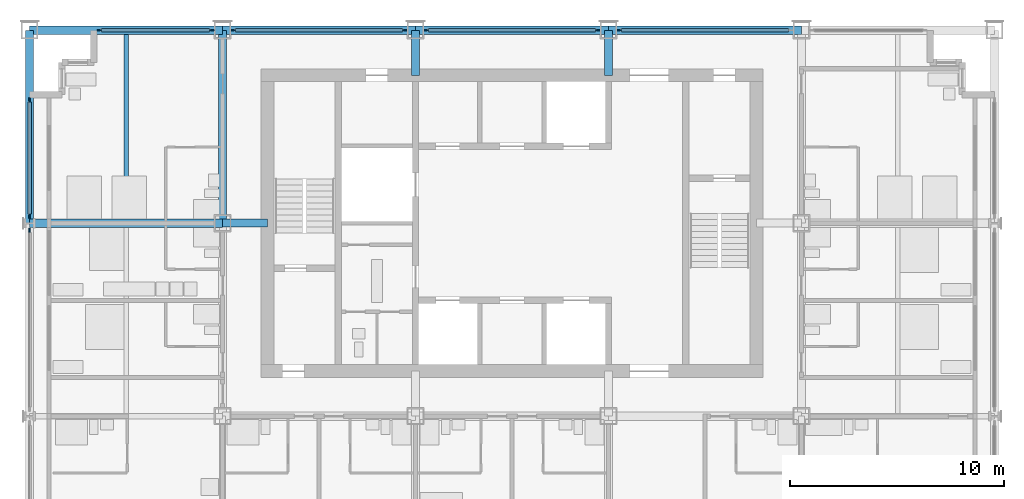
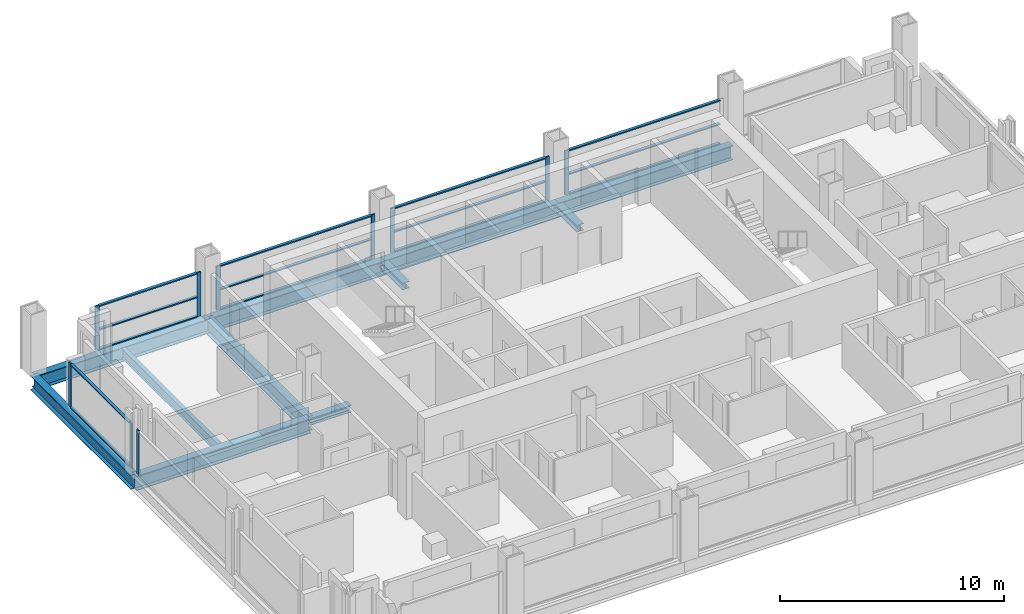
# One storey, part 4 of 14: 27 members, 8 beams, 6 elements without a shape of their own.
"""IFC4 building model written with IfcOpenShell, lengths in metres."""

from ifc_helpers import new_model, si_unit, direction, frame, origin, origin_2d, place, context, subcontext, project, spatial, rectangle, i_section, extrude, material, material_profile, profile_set, type_object, element, aggregate, save


model = new_model("IFC4")

# Units and contexts
model_context = context("Model", 3, precision=1e-05, world=origin(), true_north=direction((0.0, 1.0)))
body_context = subcontext(model_context, "Body", "Model", "MODEL_VIEW")
ifc_project = project(units=[si_unit("LENGTHUNIT", "METRE"), si_unit("AREAUNIT", "SQUARE_METRE"), si_unit("VOLUMEUNIT", "CUBIC_METRE"), si_unit("PLANEANGLEUNIT", "RADIAN"), si_unit("MASSUNIT", "GRAM", prefix="KILO")], contexts=[model_context])

# Site, building, storey
site_placement = place(None, origin())
site = spatial("IfcSite", under=ifc_project, at=site_placement, CompositionType="ELEMENT")
building_placement = place(site_placement, origin())
building = spatial("IfcBuilding", under=site, at=building_placement, Name="Loomwork Tower", CompositionType="ELEMENT")
storey_placement = place(building_placement, frame((0.0, 0.0, 167.199951171875)))
storey = spatial("IfcBuildingStorey", under=building, at=storey_placement, Name="L45", CompositionType="ELEMENT", Elevation=167.199951171875)

# Beams
ifc_material_1 = material(Name="Steel ASTM A992", Category="steel")
ifc_material_profile_1 = material_profile(ifc_material_1, i_section(OverallWidth=0.383544921875, OverallDepth=0.794921875, WebThickness=0.02099609375, FlangeThickness=0.0380859375, at=origin_2d()), Name="W30x235")
ifc_profile_set_1 = profile_set([ifc_material_profile_1], Name="Steel ASTM A992")
beam_type_1 = type_object("IfcBeamType", Name="CORE FLANK GIRDER W30x235", PredefinedType="BEAM", material=ifc_profile_set_1)
for number, where, z_axis, x_axis, name in (
    (1, (0.0, 18.0, -0.597412109375), (1.0, 0.0, 0.0), (0.0, 1.0, 0.0), "Core Flank Girder F/2-F/3 L45"),
    (2, (9.0, 18.0, -0.597412109375), (0.0, 1.0, 0.0), (-1.0, 0.0, 0.0), "Core Flank Girder F/3-G/3 L45"),
):
    element("IfcBeam", number, at=place(storey_placement, frame(where, z_axis=z_axis, x_axis=x_axis)), inside=storey, type_object=beam_type_1, Name=name, PredefinedType="BEAM", context=body_context, shape_type="SweptSolid", body=[
        extrude(i_section(OverallWidth=0.383544921875, OverallDepth=0.794921875, WebThickness=0.02099609375, FlangeThickness=0.0380859375, at=origin_2d()), origin(), (0.0, 0.0, 1.0), 9.0),
    ])

# Members
ifc_material_2 = material(Name="Steel ASTM A992", Category="steel")
ifc_material_profile_2 = material_profile(ifc_material_2, i_section(OverallWidth=0.373291015625, OverallDepth=0.373291015625, WebThickness=0.016357421875, FlangeThickness=0.026123046875, at=origin_2d()), Name="W14x132")
ifc_profile_set_2 = profile_set([ifc_material_profile_2], Name="Steel ASTM A992")
member_type_1 = type_object("IfcMemberType", Name="CORE LINK STRUT W14x132", PredefinedType="STRUT", material=ifc_profile_set_2)
for number, where, z_axis, x_axis, name in (
    (3, (27.0, 27.0, -0.38671875), (0.0, -1.0, 0.0), (1.0, 0.0, 0.0), "Core link strut G/5-27.000,24.900 L45"),
    (4, (18.0, 27.0, -0.38671875), (0.0, -1.0, 0.0), (1.0, 0.0, 0.0), "Core link strut G/4-18.000,24.900 L45"),
    (5, (9.0, 18.0, -0.38671875), (1.0, 0.0, 0.0), (0.0, 1.0, 0.0), "Core link strut F/3-11.100,18.000 L45"),
):
    element("IfcMember", number, at=place(storey_placement, frame(where, z_axis=z_axis, x_axis=x_axis)), inside=storey, type_object=member_type_1, Name=name, PredefinedType="STRUT", context=body_context, shape_type="SweptSolid", body=[
        extrude(i_section(OverallWidth=0.373291015625, OverallDepth=0.373291015625, WebThickness=0.016357421875, FlangeThickness=0.026123046875, at=origin_2d()), origin(), (0.0, 0.0, 1.0), 2.10009765625),
    ])

# Beam
ifc_material_3 = material(Name="Steel ASTM A992", Category="steel")
ifc_material_profile_3 = material_profile(ifc_material_3, i_section(OverallWidth=0.2109375, OverallDepth=0.53857421875, WebThickness=0.011474609375, FlangeThickness=0.018798828125, at=origin_2d()), Name="W21x73")
ifc_profile_set_3 = profile_set([ifc_material_profile_3], Name="Steel ASTM A992")
beam_type_2 = type_object("IfcBeamType", Name="FLOOR JOIST W21x73", PredefinedType="JOIST", material=ifc_profile_set_3)
beam_placement = place(storey_placement, frame((4.5, 18.19091796875, -0.46923828125), z_axis=(0.0, 1.0, 0.0), x_axis=(-1.0, 0.0, 0.0)))
element("IfcBeam", 6, at=beam_placement, inside=storey, type_object=beam_type_2, Name="Floor Joist 4.500,18.000-4.500,27.000 L45", PredefinedType="JOIST", context=body_context, shape_type="SweptSolid", body=[
    extrude(i_section(OverallWidth=0.2109375, OverallDepth=0.53857421875, WebThickness=0.011474609375, FlangeThickness=0.018798828125, at=origin_2d()), origin(), (0.0, 0.0, 1.0), 8.619140625),
])

# Curtain wall, member
ifc_material_4 = material(Name="Aluminium curtain wall frame", Category="aluminium")
curtain_wall_type_1 = type_object("IfcCurtainWallType", Name="Outer skin glazing hotel", PredefinedType="NOTDEFINED", material=ifc_material_4)
curtain_wall_1_placement = place(storey_placement, origin())
curtain_wall_1 = element("IfcCurtainWall", 7, at=curtain_wall_1_placement, inside=storey, type_object=curtain_wall_type_1, Name="Outer skin glazing hotel cw/W-9", PredefinedType="NOTDEFINED")
ifc_material_5 = material(Name="Aluminium curtain wall frame", Category="aluminium")
ifc_material_profile_4 = material_profile(ifc_material_5, rectangle(XDim=0.06494140625, YDim=0.199951171875, at=origin_2d()), Name="AL 65x200")
ifc_profile_set_4 = profile_set([ifc_material_profile_4], Name="Aluminium curtain wall frame")
member_type_2 = type_object("IfcMemberType", Name="Outer skin glazing hotel mullion", PredefinedType="MULLION", material=ifc_profile_set_4)
member_1_placement = place(storey_placement, frame((0.0, 17.67529296875, 0.0), z_axis=(0.0, 0.0, 1.0), x_axis=(1.0, 0.0, 0.0)))
member_1 = element("IfcMember", 8, at=member_1_placement, type_object=member_type_2, Name="CW1 mullion 1", PredefinedType="MULLION", context=body_context, shape_type="SweptSolid", body=[
    extrude(rectangle(XDim=0.06494140625, YDim=0.199951171875, at=origin_2d()), origin(), (0.0, 0.0, 1.0), 2.420166015625),
])
aggregate(curtain_wall_1, [member_1])

# Curtain wall, members
curtain_wall_2_placement = place(storey_placement, origin())
curtain_wall_2 = element("IfcCurtainWall", 9, at=curtain_wall_2_placement, inside=storey, type_object=curtain_wall_type_1, Name="Outer skin glazing hotel cw/W-18", PredefinedType="NOTDEFINED")
member_2_placement = place(storey_placement, frame((0.0, 23.75, 0.0), z_axis=(0.0, 0.0, 1.0), x_axis=(1.0, 0.0, 0.0)))
member_2 = element("IfcMember", 10, at=member_2_placement, type_object=member_type_2, Name="CW1 mullion 1", PredefinedType="MULLION", context=body_context, shape_type="SweptSolid", body=[
    extrude(rectangle(XDim=0.06494140625, YDim=0.199951171875, at=origin_2d()), origin(), (0.0, 0.0, 1.0), 2.420166015625),
])
member_3_placement = place(storey_placement, frame((0.0, 18.32470703125, 0.0), z_axis=(0.0, 0.0, 1.0), x_axis=(1.0, 0.0, 0.0)))
member_3 = element("IfcMember", 11, at=member_3_placement, type_object=member_type_2, Name="CW1 mullion 2", PredefinedType="MULLION", context=body_context, shape_type="SweptSolid", body=[
    extrude(rectangle(XDim=0.06494140625, YDim=0.199951171875, at=origin_2d()), origin(), (0.0, 0.0, 1.0), 2.420166015625),
])
ifc_material_6 = material(Name="Aluminium curtain wall frame", Category="aluminium")
ifc_material_profile_5 = material_profile(ifc_material_6, rectangle(XDim=0.14990234375, YDim=0.06494140625, at=origin_2d()), Name="AL 65x150")
ifc_profile_set_5 = profile_set([ifc_material_profile_5], Name="Aluminium curtain wall frame")
member_type_3 = type_object("IfcMemberType", Name="Outer skin glazing hotel transom", PredefinedType="USERDEFINED", material=ifc_profile_set_5)
member_4_placement = place(storey_placement, frame((0.0, 23.64990234375, 0.032470703125), z_axis=(0.0, -1.0, 0.0), x_axis=(1.0, 0.0, 0.0)))
member_4 = element("IfcMember", 12, at=member_4_placement, type_object=member_type_3, Name="CW1 transom 1.1", ObjectType="TRANSOM", PredefinedType="USERDEFINED", context=body_context, shape_type="SweptSolid", body=[
    extrude(rectangle(XDim=0.14990234375, YDim=0.06494140625, at=origin_2d()), origin(), (0.0, 0.0, 1.0), 5.22509765625),
])
member_5_placement = place(storey_placement, frame((0.0, 23.64990234375, 2.3876953125), z_axis=(0.0, -1.0, 0.0), x_axis=(1.0, 0.0, 0.0)))
member_5 = element("IfcMember", 13, at=member_5_placement, type_object=member_type_3, Name="CW1 transom 1.2", ObjectType="TRANSOM", PredefinedType="USERDEFINED", context=body_context, shape_type="SweptSolid", body=[
    extrude(rectangle(XDim=0.14990234375, YDim=0.06494140625, at=origin_2d()), origin(), (0.0, 0.0, 1.0), 5.22509765625),
])
aggregate(curtain_wall_2, [member_2, member_3, member_4, member_5])

# Beams
ifc_material_7 = material(Name="Steel ASTM A992", Category="steel")
ifc_material_profile_6 = material_profile(ifc_material_7, i_section(OverallWidth=0.381103515625, OverallDepth=0.77978515625, WebThickness=0.01806640625, FlangeThickness=0.0302734375, at=origin_2d()), Name="W30x191")
ifc_profile_set_6 = profile_set([ifc_material_profile_6], Name="Steel ASTM A992")
beam_type_3 = type_object("IfcBeamType", Name="SPANDREL GIRDER W30x191", PredefinedType="SPANDREL", material=ifc_profile_set_6)
for number, where, z_axis, x_axis, name in (
    (14, (0.0, 27.0, -0.58984375), (1.0, 0.0, 0.0), (0.0, 1.0, 0.0), "Spandrel Girder G/2-G/3 L45"),
    (15, (9.0, 27.0, -0.58984375), (1.0, 0.0, 0.0), (0.0, 1.0, 0.0), "Spandrel Girder G/3-G/4 L45"),
    (16, (18.0, 27.0, -0.58984375), (1.0, 0.0, 0.0), (0.0, 1.0, 0.0), "Spandrel Girder G/4-G/5 L45"),
    (17, (27.0, 27.0, -0.58984375), (1.0, 0.0, 0.0), (0.0, 1.0, 0.0), "Spandrel Girder G/5-G/6 L45"),
    (18, (0.0, 18.0, -0.58984375), (0.0, 1.0, 0.0), (-1.0, 0.0, 0.0), "Spandrel Girder F/2-G/2 L45"),
):
    element("IfcBeam", number, at=place(storey_placement, frame(where, z_axis=z_axis, x_axis=x_axis)), inside=storey, type_object=beam_type_3, Name=name, PredefinedType="SPANDREL", context=body_context, shape_type="SweptSolid", body=[
        extrude(i_section(OverallWidth=0.381103515625, OverallDepth=0.77978515625, WebThickness=0.01806640625, FlangeThickness=0.0302734375, at=origin_2d()), origin(), (0.0, 0.0, 1.0), 9.0),
    ])

# Curtain wall, members
ifc_material_8 = material(Name="Aluminium curtain wall frame", Category="aluminium")
curtain_wall_type_2 = type_object("IfcCurtainWallType", Name="Single skin glazing corridor", PredefinedType="NOTDEFINED", material=ifc_material_8)
curtain_wall_3_placement = place(storey_placement, origin())
curtain_wall_3 = element("IfcCurtainWall", 19, at=curtain_wall_3_placement, inside=storey, type_object=curtain_wall_type_2, Name="Single skin glazing corridor cw/N-0", PredefinedType="NOTDEFINED")
ifc_material_9 = material(Name="Aluminium curtain wall frame", Category="aluminium")
ifc_material_profile_7 = material_profile(ifc_material_9, rectangle(XDim=0.06494140625, YDim=0.199951171875, at=origin_2d()), Name="AL 65x200")
ifc_profile_set_7 = profile_set([ifc_material_profile_7], Name="Aluminium curtain wall frame")
member_type_4 = type_object("IfcMemberType", Name="Single skin glazing corridor mullion", PredefinedType="MULLION", material=ifc_profile_set_7)
member_6_placement = place(storey_placement, frame((8.5, 27.0, 0.0), z_axis=(0.0, 0.0, 1.0), x_axis=(0.0, -1.0, 0.0)))
member_6 = element("IfcMember", 20, at=member_6_placement, type_object=member_type_4, Name="CW3 mullion 1", PredefinedType="MULLION", context=body_context, shape_type="SweptSolid", body=[
    extrude(rectangle(XDim=0.06494140625, YDim=0.199951171875, at=origin_2d()), origin(), (0.0, 0.0, 1.0), 2.420166015625),
])
member_7_placement = place(storey_placement, frame((3.25, 27.0, 0.0), z_axis=(0.0, 0.0, 1.0), x_axis=(0.0, -1.0, 0.0)))
member_7 = element("IfcMember", 21, at=member_7_placement, type_object=member_type_4, Name="CW3 mullion 2", PredefinedType="MULLION", context=body_context, shape_type="SweptSolid", body=[
    extrude(rectangle(XDim=0.06494140625, YDim=0.199951171875, at=origin_2d()), origin(), (0.0, 0.0, 1.0), 2.420166015625),
])

curtain_wall_4_placement = place(storey_placement, origin())
curtain_wall_4 = element("IfcCurtainWall", 22, at=curtain_wall_4_placement, inside=storey, type_object=curtain_wall_type_2, Name="Single skin glazing corridor cw/N-9", PredefinedType="NOTDEFINED")
member_8_placement = place(storey_placement, frame((17.5, 27.0, 0.0), z_axis=(0.0, 0.0, 1.0), x_axis=(0.0, -1.0, 0.0)))
member_8 = element("IfcMember", 23, at=member_8_placement, type_object=member_type_4, Name="CW3 mullion 1", PredefinedType="MULLION", context=body_context, shape_type="SweptSolid", body=[
    extrude(rectangle(XDim=0.06494140625, YDim=0.199951171875, at=origin_2d()), origin(), (0.0, 0.0, 1.0), 2.420166015625),
])
member_9_placement = place(storey_placement, frame((9.5, 27.0, 0.0), z_axis=(0.0, 0.0, 1.0), x_axis=(0.0, -1.0, 0.0)))
member_9 = element("IfcMember", 24, at=member_9_placement, type_object=member_type_4, Name="CW3 mullion 2", PredefinedType="MULLION", context=body_context, shape_type="SweptSolid", body=[
    extrude(rectangle(XDim=0.06494140625, YDim=0.199951171875, at=origin_2d()), origin(), (0.0, 0.0, 1.0), 2.420166015625),
])

curtain_wall_5_placement = place(storey_placement, origin())
curtain_wall_5 = element("IfcCurtainWall", 25, at=curtain_wall_5_placement, inside=storey, type_object=curtain_wall_type_2, Name="Single skin glazing corridor cw/N-18", PredefinedType="NOTDEFINED")
member_10_placement = place(storey_placement, frame((26.5, 27.0, 0.0), z_axis=(0.0, 0.0, 1.0), x_axis=(0.0, -1.0, 0.0)))
member_10 = element("IfcMember", 26, at=member_10_placement, type_object=member_type_4, Name="CW3 mullion 1", PredefinedType="MULLION", context=body_context, shape_type="SweptSolid", body=[
    extrude(rectangle(XDim=0.06494140625, YDim=0.199951171875, at=origin_2d()), origin(), (0.0, 0.0, 1.0), 2.420166015625),
])
member_11_placement = place(storey_placement, frame((18.5, 27.0, 0.0), z_axis=(0.0, 0.0, 1.0), x_axis=(0.0, -1.0, 0.0)))
member_11 = element("IfcMember", 27, at=member_11_placement, type_object=member_type_4, Name="CW3 mullion 2", PredefinedType="MULLION", context=body_context, shape_type="SweptSolid", body=[
    extrude(rectangle(XDim=0.06494140625, YDim=0.199951171875, at=origin_2d()), origin(), (0.0, 0.0, 1.0), 2.420166015625),
])

# Curtain wall, member
curtain_wall_6_placement = place(storey_placement, origin())
curtain_wall_6 = element("IfcCurtainWall", 28, at=curtain_wall_6_placement, inside=storey, type_object=curtain_wall_type_2, Name="Single skin glazing corridor cw/N-27", PredefinedType="NOTDEFINED")
member_12_placement = place(storey_placement, frame((27.5, 27.0, 0.0), z_axis=(0.0, 0.0, 1.0), x_axis=(0.0, -1.0, 0.0)))
member_12 = element("IfcMember", 29, at=member_12_placement, type_object=member_type_4, Name="CW3 mullion 2", PredefinedType="MULLION", context=body_context, shape_type="SweptSolid", body=[
    extrude(rectangle(XDim=0.06494140625, YDim=0.199951171875, at=origin_2d()), origin(), (0.0, 0.0, 1.0), 2.420166015625),
])

# Member
ifc_material_10 = material(Name="Aluminium curtain wall frame", Category="aluminium")
ifc_material_profile_8 = material_profile(ifc_material_10, rectangle(XDim=0.14990234375, YDim=0.06494140625, at=origin_2d()), Name="AL 65x150")
ifc_profile_set_8 = profile_set([ifc_material_profile_8], Name="Aluminium curtain wall frame")
member_type_5 = type_object("IfcMemberType", Name="Single skin glazing corridor transom", PredefinedType="USERDEFINED", material=ifc_profile_set_8)
member_13_placement = place(storey_placement, frame((8.39990234375, 27.0, 0.032470703125), z_axis=(-1.0, 0.0, 0.0), x_axis=(0.0, -1.0, 0.0)))
member_13 = element("IfcMember", 30, at=member_13_placement, type_object=member_type_5, Name="CW3 transom 1.1", ObjectType="TRANSOM", PredefinedType="USERDEFINED", context=body_context, shape_type="SweptSolid", body=[
    extrude(rectangle(XDim=0.14990234375, YDim=0.06494140625, at=origin_2d()), origin(), (0.0, 0.0, 1.0), 5.0498046875),
])

member_14_placement = place(storey_placement, frame((8.39990234375, 27.0, 1.10009765625), z_axis=(-1.0, 0.0, 0.0), x_axis=(0.0, -1.0, 0.0)))
member_14 = element("IfcMember", 31, at=member_14_placement, type_object=member_type_5, Name="CW3 transom 1.2", ObjectType="TRANSOM", PredefinedType="USERDEFINED", context=body_context, shape_type="SweptSolid", body=[
    extrude(rectangle(XDim=0.14990234375, YDim=0.06494140625, at=origin_2d()), origin(), (0.0, 0.0, 1.0), 5.0498046875),
])

member_15_placement = place(storey_placement, frame((8.39990234375, 27.0, 2.3876953125), z_axis=(-1.0, 0.0, 0.0), x_axis=(0.0, -1.0, 0.0)))
member_15 = element("IfcMember", 32, at=member_15_placement, type_object=member_type_5, Name="CW3 transom 1.3", ObjectType="TRANSOM", PredefinedType="USERDEFINED", context=body_context, shape_type="SweptSolid", body=[
    extrude(rectangle(XDim=0.14990234375, YDim=0.06494140625, at=origin_2d()), origin(), (0.0, 0.0, 1.0), 5.0498046875),
])

aggregate(curtain_wall_3, [member_6, member_7, member_13, member_14, member_15])

member_16_placement = place(storey_placement, frame((17.39990234375, 27.0, 0.032470703125), z_axis=(-1.0, 0.0, 0.0), x_axis=(0.0, -1.0, 0.0)))
member_16 = element("IfcMember", 33, at=member_16_placement, type_object=member_type_5, Name="CW3 transom 1.1", ObjectType="TRANSOM", PredefinedType="USERDEFINED", context=body_context, shape_type="SweptSolid", body=[
    extrude(rectangle(XDim=0.14990234375, YDim=0.06494140625, at=origin_2d()), origin(), (0.0, 0.0, 1.0), 7.7998046875),
])

member_17_placement = place(storey_placement, frame((17.39990234375, 27.0, 1.10009765625), z_axis=(-1.0, 0.0, 0.0), x_axis=(0.0, -1.0, 0.0)))
member_17 = element("IfcMember", 34, at=member_17_placement, type_object=member_type_5, Name="CW3 transom 1.2", ObjectType="TRANSOM", PredefinedType="USERDEFINED", context=body_context, shape_type="SweptSolid", body=[
    extrude(rectangle(XDim=0.14990234375, YDim=0.06494140625, at=origin_2d()), origin(), (0.0, 0.0, 1.0), 7.7998046875),
])

member_18_placement = place(storey_placement, frame((17.39990234375, 27.0, 2.3876953125), z_axis=(-1.0, 0.0, 0.0), x_axis=(0.0, -1.0, 0.0)))
member_18 = element("IfcMember", 35, at=member_18_placement, type_object=member_type_5, Name="CW3 transom 1.3", ObjectType="TRANSOM", PredefinedType="USERDEFINED", context=body_context, shape_type="SweptSolid", body=[
    extrude(rectangle(XDim=0.14990234375, YDim=0.06494140625, at=origin_2d()), origin(), (0.0, 0.0, 1.0), 7.7998046875),
])

aggregate(curtain_wall_4, [member_8, member_9, member_16, member_17, member_18])

member_19_placement = place(storey_placement, frame((26.39990234375, 27.0, 0.032470703125), z_axis=(-1.0, 0.0, 0.0), x_axis=(0.0, -1.0, 0.0)))
member_19 = element("IfcMember", 36, at=member_19_placement, type_object=member_type_5, Name="CW3 transom 1.1", ObjectType="TRANSOM", PredefinedType="USERDEFINED", context=body_context, shape_type="SweptSolid", body=[
    extrude(rectangle(XDim=0.14990234375, YDim=0.06494140625, at=origin_2d()), origin(), (0.0, 0.0, 1.0), 7.7998046875),
])

member_20_placement = place(storey_placement, frame((26.39990234375, 27.0, 1.10009765625), z_axis=(-1.0, 0.0, 0.0), x_axis=(0.0, -1.0, 0.0)))
member_20 = element("IfcMember", 37, at=member_20_placement, type_object=member_type_5, Name="CW3 transom 1.2", ObjectType="TRANSOM", PredefinedType="USERDEFINED", context=body_context, shape_type="SweptSolid", body=[
    extrude(rectangle(XDim=0.14990234375, YDim=0.06494140625, at=origin_2d()), origin(), (0.0, 0.0, 1.0), 7.7998046875),
])

member_21_placement = place(storey_placement, frame((26.39990234375, 27.0, 2.3876953125), z_axis=(-1.0, 0.0, 0.0), x_axis=(0.0, -1.0, 0.0)))
member_21 = element("IfcMember", 38, at=member_21_placement, type_object=member_type_5, Name="CW3 transom 1.3", ObjectType="TRANSOM", PredefinedType="USERDEFINED", context=body_context, shape_type="SweptSolid", body=[
    extrude(rectangle(XDim=0.14990234375, YDim=0.06494140625, at=origin_2d()), origin(), (0.0, 0.0, 1.0), 7.7998046875),
])

aggregate(curtain_wall_5, [member_10, member_11, member_19, member_20, member_21])

member_22_placement = place(storey_placement, frame((35.39990234375, 27.0, 0.032470703125), z_axis=(-1.0, 0.0, 0.0), x_axis=(0.0, -1.0, 0.0)))
member_22 = element("IfcMember", 39, at=member_22_placement, type_object=member_type_5, Name="CW3 transom 1.1", ObjectType="TRANSOM", PredefinedType="USERDEFINED", context=body_context, shape_type="SweptSolid", body=[
    extrude(rectangle(XDim=0.14990234375, YDim=0.06494140625, at=origin_2d()), origin(), (0.0, 0.0, 1.0), 7.7998046875),
])

member_23_placement = place(storey_placement, frame((35.39990234375, 27.0, 1.10009765625), z_axis=(-1.0, 0.0, 0.0), x_axis=(0.0, -1.0, 0.0)))
member_23 = element("IfcMember", 40, at=member_23_placement, type_object=member_type_5, Name="CW3 transom 1.2", ObjectType="TRANSOM", PredefinedType="USERDEFINED", context=body_context, shape_type="SweptSolid", body=[
    extrude(rectangle(XDim=0.14990234375, YDim=0.06494140625, at=origin_2d()), origin(), (0.0, 0.0, 1.0), 7.7998046875),
])

member_24_placement = place(storey_placement, frame((35.39990234375, 27.0, 2.3876953125), z_axis=(-1.0, 0.0, 0.0), x_axis=(0.0, -1.0, 0.0)))
member_24 = element("IfcMember", 41, at=member_24_placement, type_object=member_type_5, Name="CW3 transom 1.3", ObjectType="TRANSOM", PredefinedType="USERDEFINED", context=body_context, shape_type="SweptSolid", body=[
    extrude(rectangle(XDim=0.14990234375, YDim=0.06494140625, at=origin_2d()), origin(), (0.0, 0.0, 1.0), 7.7998046875),
])

aggregate(curtain_wall_6, [member_12, member_22, member_23, member_24])

save(model, "model.ifc")
